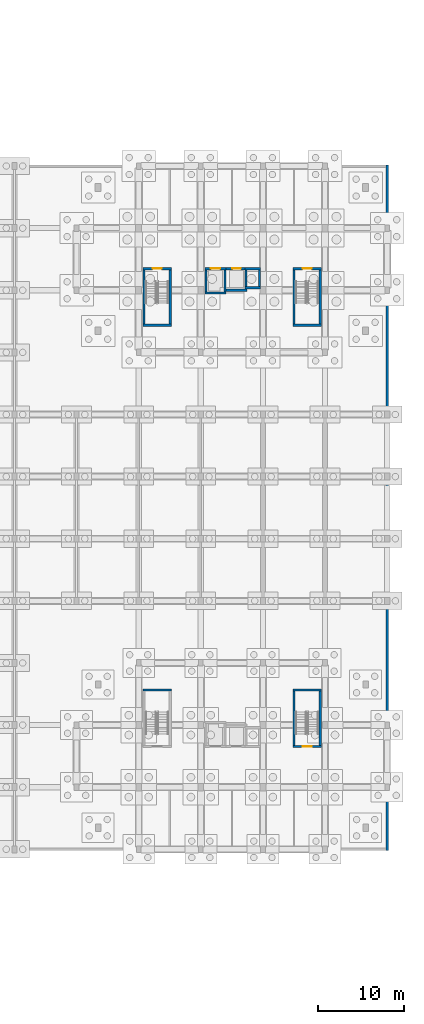
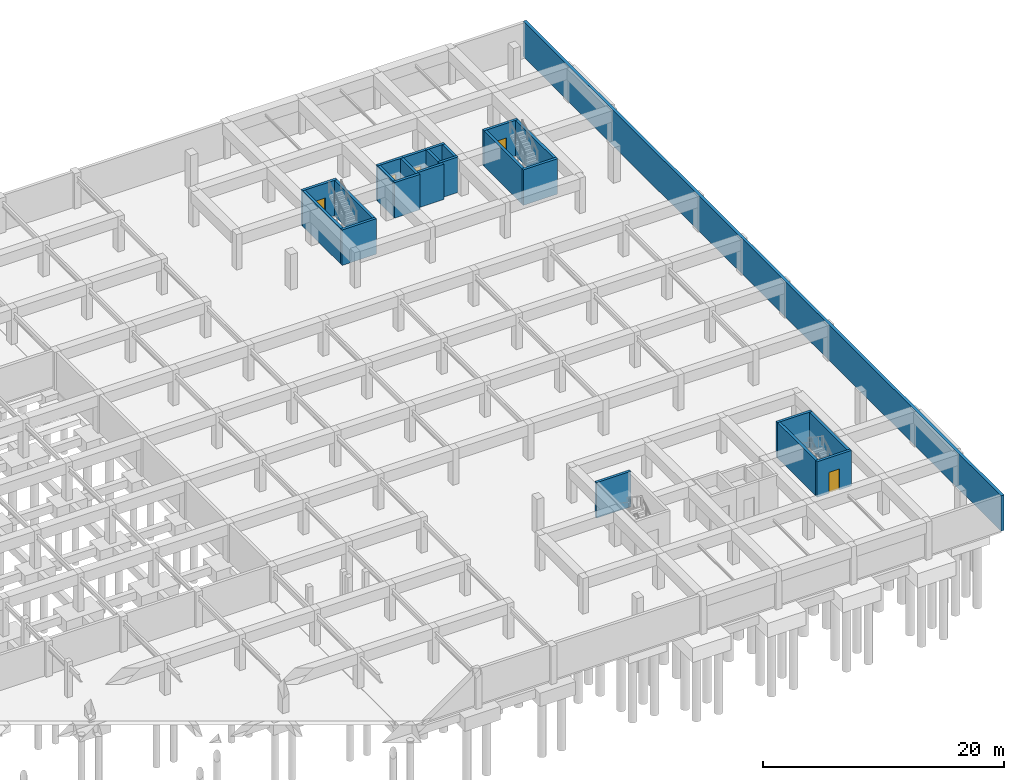
# One storey, part 30 of 36: 24 walls, 5 doors, 5 openings.
"""IFC4 building model written with IfcOpenShell, lengths in metres."""

import ifcopenshell
import ifcopenshell.guid

model = None  # the IFC model being written
_history = None  # IfcOwnerHistory: only IFC2X3 demands one
_inside = {}  # id of a spatial element -> (the spatial element, [elements in it])
_under = {}  # id of a project, library or spatial element -> (it, [spatial elements below it])
_declared = {}  # id of a project -> (the project, [libraries it declares])
_typed = {}  # id of a type object -> (the type object, [elements of that type])
_made_of = {}  # id of a material, layer set ... -> (it, [elements and type objects made of it])


def new_model(schema):
    """Start an empty IFC model of exactly this schema.

    Asked for "IFC4X3", IfcOpenShell would pick the latest addendum, in which some entities
    have other attributes; the version numbers below select the first issue.
    IFC2X3 requires an IfcOwnerHistory on every rooted entity: one is made here for all.
    """
    global model, _history
    if schema == "IFC4X3":
        model = ifcopenshell.file(schema_version=(4, 3, 0, 0))
    else:
        model = ifcopenshell.file(schema=schema)
    _inside.clear()
    _under.clear()
    _declared.clear()
    _typed.clear()
    _made_of.clear()
    _history = None
    if model.schema == "IFC2X3":
        org = make("IfcOrganization", Name="unknown")
        user = make(
            "IfcPersonAndOrganization",
            ThePerson=make("IfcPerson", FamilyName="unknown"),
            TheOrganization=org,
        )
        app = make(
            "IfcApplication",
            ApplicationDeveloper=org,
            Version="unknown",
            ApplicationFullName="unknown",
            ApplicationIdentifier="unknown",
        )
        _history = make(
            "IfcOwnerHistory",
            OwningUser=user,
            OwningApplication=app,
            ChangeAction="ADDED",
            CreationDate=0,
        )
    return model


def make(cls, **values):
    """One entity of the class cls with the attributes given. An attribute that is None is left unset."""
    return model.create_entity(
        cls, **{name: value for name, value in values.items() if value is not None}
    )


def rooted(cls, **values):
    """An entity with a GlobalId (a new one), such as an element, a storey or a relation."""
    return make(cls, GlobalId=ifcopenshell.guid.new(), OwnerHistory=_history, **values)


def si_unit(unit_type, name, prefix=None):
    """IfcSIUnit, for example si_unit("LENGTHUNIT", "METRE", prefix="MILLI")."""
    return make("IfcSIUnit", UnitType=unit_type, Prefix=prefix, Name=name)


def assignment(units):
    """IfcUnitAssignment: the units of a project."""
    return None if units is None else make("IfcUnitAssignment", Units=units)


def point(xyz):
    """IfcCartesianPoint."""
    return None if xyz is None else make("IfcCartesianPoint", Coordinates=xyz)


def direction(xyz):
    """IfcDirection."""
    return None if xyz is None else make("IfcDirection", DirectionRatios=xyz)


def frame(location, z_axis=None, x_axis=None):
    """IfcAxis2Placement3D, a coordinate frame: its origin and axes. An axis left out is left unset."""
    return make(
        "IfcAxis2Placement3D",
        Location=point(location),
        Axis=direction(z_axis),
        RefDirection=direction(x_axis),
    )


def frame_2d(location, x_axis=None):
    """IfcAxis2Placement2D, a coordinate frame in the plane: its origin and x axis."""
    return make(
        "IfcAxis2Placement2D", Location=point(location), RefDirection=direction(x_axis)
    )


def origin():
    """The frame at (0, 0, 0) with its axes left unset."""
    return frame((0.0, 0.0, 0.0))


def place(relative_to, where):
    """IfcLocalPlacement: puts the frame where relative to a parent placement (None: the world)."""
    return make(
        "IfcLocalPlacement", PlacementRelTo=relative_to, RelativePlacement=where
    )


def context(
    kind, dimensions, precision=None, world=None, true_north=None, identifier=None
):
    """IfcGeometricRepresentationContext, for example the 3D "Model" context."""
    return make(
        "IfcGeometricRepresentationContext",
        ContextIdentifier=identifier,
        ContextType=kind,
        CoordinateSpaceDimension=dimensions,
        Precision=precision,
        WorldCoordinateSystem=world,
        TrueNorth=true_north,
    )


def subcontext(parent, identifier, kind, view, scale=None):
    """IfcGeometricRepresentationSubContext, for example "Body" below "Model"."""
    return make(
        "IfcGeometricRepresentationSubContext",
        ContextIdentifier=identifier,
        ContextType=kind,
        ParentContext=parent,
        TargetScale=scale,
        TargetView=view,
    )


def project(units=None, contexts=None):
    """IfcProject with its units and contexts."""
    return rooted(
        "IfcProject",
        Name="project",
        RepresentationContexts=contexts,
        UnitsInContext=assignment(units),
    )


def spatial(cls, under=None, at=None, **own):
    """A site, building, storey or space (cls), placed at a placement, below another one or the project."""
    s = rooted(cls, ObjectPlacement=at, **own)
    if under is not None:
        _under.setdefault(under.id(), (under, []))[1].append(s)
    return s


def profile(cls, at=None, kind="AREA", **sizes):
    """A parametric profile (cls). Its sizes go by their IFC names, for example OverallWidth=200.0."""
    return make(cls, ProfileType=kind, Position=at, **sizes)


def rectangle(**sizes):
    """IfcRectangleProfileDef."""
    return profile("IfcRectangleProfileDef", **sizes)


def extrude(swept, where, along, depth):
    """IfcExtrudedAreaSolid: the profile swept, set in the frame where, extruded along a direction by depth."""
    return make(
        "IfcExtrudedAreaSolid",
        SweptArea=swept,
        Position=where,
        ExtrudedDirection=direction(along),
        Depth=depth,
    )


def shape(context_of_items, identifier, shape_type, items):
    """IfcShapeRepresentation: the items that make up one representation, for example the "Body"."""
    return make(
        "IfcShapeRepresentation",
        ContextOfItems=context_of_items,
        RepresentationIdentifier=identifier,
        RepresentationType=shape_type,
        Items=items,
    )


def material(Name=None, Category=None):
    """IfcMaterial."""
    return make("IfcMaterial", Name=Name, Category=Category)


def layer(
    of_material, thickness, ventilated=None, Name=None, Category=None, Priority=None
):
    """IfcMaterialLayer: one layer of a wall or slab, of a material (None: an air gap)."""
    return make(
        "IfcMaterialLayer",
        Material=of_material,
        LayerThickness=thickness,
        IsVentilated=ventilated,
        Name=Name,
        Category=Category,
        Priority=Priority,
    )


def layer_set(layers, Name=None):
    """IfcMaterialLayerSet."""
    return make("IfcMaterialLayerSet", MaterialLayers=layers, LayerSetName=Name)


def made_of(thing, what):
    """Note that an element or type object is made of a material, layer set ...; save() writes the relation."""
    if what is not None:
        _made_of.setdefault(what.id(), (what, []))[1].append(thing)
    return thing


def type_object(cls, material=None, **own):
    """A type object (cls), such as IfcWallType, which elements share."""
    return made_of(rooted(cls, **own), material)


def element(
    cls,
    number,
    at=None,
    inside=None,
    cuts=None,
    type_object=None,
    material=None,
    context=None,
    identifier="Body",
    shape_type=None,
    held_by="IfcProductDefinitionShape",
    body=None,
    shapes=None,
    **own,
):
    """One element of the class cls, such as IfcWall. Its Tag is "e" and its number.

    at: its placement. inside: the storey or other place that contains it. cuts: it is an
    opening in that element (IfcRelVoidsElement). A single representation is given by context,
    identifier, shape_type and body (its items); several are given by shapes. held_by: the class
    of the entity that holds the representations. save() writes the other relations.
    """
    e = rooted(cls, Tag="e%d" % number, ObjectPlacement=at, **own)
    if body is not None:
        shapes = [shape(context, identifier, shape_type, body)]
    if shapes is not None:
        e.Representation = make(held_by, Representations=shapes)
    if inside is not None:
        _inside.setdefault(inside.id(), (inside, []))[1].append(e)
    if cuts is not None:
        rooted(
            "IfcRelVoidsElement", RelatingBuildingElement=cuts, RelatedOpeningElement=e
        )
    if type_object is not None:
        _typed.setdefault(type_object.id(), (type_object, []))[1].append(e)
    return made_of(e, material)


def fill(opening, filler):
    """IfcRelFillsElement: the door or window that sits in an opening."""
    return rooted(
        "IfcRelFillsElement",
        RelatingOpeningElement=opening,
        RelatedBuildingElement=filler,
    )


def aggregate(whole, parts):
    """IfcRelAggregates: a whole, such as a stair, and the parts it consists of."""
    return rooted("IfcRelAggregates", RelatingObject=whole, RelatedObjects=parts)


def save(model, path):
    """Write the relations noted so far, then the file.

    IfcRelAggregates (storeys below a building ...), IfcRelContainedInSpatialStructure (elements
    in a storey), IfcRelDefinesByType, IfcRelAssociatesMaterial and IfcRelDeclares: one each for
    every whole, place, type object, material and project.
    """
    for whole, parts in _under.values():
        aggregate(whole, parts)
    for where, things in _inside.values():
        rooted(
            "IfcRelContainedInSpatialStructure",
            RelatedElements=things,
            RelatingStructure=where,
        )
    for kind, things in _typed.values():
        rooted("IfcRelDefinesByType", RelatedObjects=things, RelatingType=kind)
    for what, things in _made_of.values():
        rooted("IfcRelAssociatesMaterial", RelatedObjects=things, RelatingMaterial=what)
    for by, libraries in _declared.values():
        rooted("IfcRelDeclares", RelatingContext=by, RelatedDefinitions=libraries)
    model.write(path)


model = new_model("IFC4")

# Units and contexts
model_context = context("Model", 3, precision=1e-05, world=origin(), true_north=direction((0.0, 1.0)))
body_context = subcontext(model_context, "Body", "Model", "MODEL_VIEW")
ifc_project = project(units=[si_unit("LENGTHUNIT", "METRE"), si_unit("AREAUNIT", "SQUARE_METRE"), si_unit("VOLUMEUNIT", "CUBIC_METRE"), si_unit("PLANEANGLEUNIT", "RADIAN"), si_unit("MASSUNIT", "GRAM", prefix="KILO")], contexts=[model_context])

# Site, building, storey
site_placement = place(None, origin())
site = spatial("IfcSite", under=ifc_project, at=site_placement, CompositionType="ELEMENT")
building_placement = place(site_placement, origin())
building = spatial("IfcBuilding", under=site, at=building_placement, Name="Ochrevale Crest", CompositionType="ELEMENT")
storey_placement = place(building_placement, frame((0.0, 0.0, -3.60009765625)))
storey = spatial("IfcBuildingStorey", under=building, at=storey_placement, Name="B1", CompositionType="ELEMENT", Elevation=-3.60009765625)

# Wall
ifc_material_1 = material(Name="Precast concrete C50/60", Category="concrete")
ifc_layer_1 = layer(ifc_material_1, 0.2548828125)
ifc_layer_set_1 = layer_set([ifc_layer_1], Name="Precast concrete C50/60")
wall_type_1 = type_object("IfcWallType", Name="WL-CORE-255", PredefinedType="SHEAR", material=ifc_layer_set_1)
wall_1_placement = place(storey_placement, frame((137.2724609375, 32.85009765625, 0.0), z_axis=(0.0, 0.0, 1.0), x_axis=(1.0, 0.0, 0.0)))
element("IfcWall", 1, at=wall_1_placement, inside=storey, type_object=wall_type_1, Name="Block C B1 Stair 1 precast core shear wall N", PredefinedType="SHEAR", context=body_context, shape_type="SweptSolid", body=[
    extrude(rectangle(XDim=3.304931640625, YDim=0.2548828125, at=frame_2d((1.65234375, 0.0))), origin(), (0.0, 0.0, 1.0), 3.60009765625),
])

# Wall, opening, door
wall_2_placement = place(storey_placement, frame((154.672607421875, 26.300048828125, 0.0), z_axis=(0.0, 0.0, 1.0), x_axis=(1.0, 0.0, 0.0)))
wall_2 = element("IfcWall", 2, at=wall_2_placement, inside=storey, type_object=wall_type_1, Name="Block C B1 Stair 2 precast core shear wall S", PredefinedType="SHEAR", context=body_context, shape_type="SweptSolid", body=[
    extrude(rectangle(XDim=3.304931640625, YDim=0.2548828125, at=frame_2d((1.65234375, 0.0))), origin(), (0.0, 0.0, 1.0), 3.60009765625),
])
opening_1_placement = place(wall_2_placement, frame((1.12744140625, 0.0, 0.0)))
opening_1 = element("IfcOpeningElement", 3, at=opening_1_placement, cuts=wall_2, Name="Opening FD03", PredefinedType="OPENING", context=body_context, shape_type="SweptSolid", body=[
    extrude(rectangle(XDim=1.050048828125, YDim=2.1201171875, at=frame_2d((0.52490234375, 1.06005859375))), frame((0.0, 0.137451171875, 0.0), z_axis=(0.0, -1.0, 0.0), x_axis=(1.0, 0.0, 0.0)), (0.0, 0.0, 1.0), 0.27490234375),
])
ifc_material_2 = material(Name="Solid-core FSC hardwood", Category="wood")
door_type_1 = type_object("IfcDoorType", Name="DR-ST-1050", OperationType="NOTDEFINED", PredefinedType="DOOR", material=ifc_material_2)
door_1_placement = place(opening_1_placement, origin())
door_1 = element("IfcDoor", 4, at=door_1_placement, inside=storey, type_object=door_type_1, Name="Block C B1 fire stair 2 door", OperationType="SINGLE_SWING_LEFT", OverallHeight=2.1201171875, OverallWidth=1.050048828125, PredefinedType="DOOR", context=body_context, shape_type="SweptSolid", body=[
    extrude(rectangle(XDim=1.050048828125, YDim=2.1201171875, at=frame_2d((0.52490234375, 1.06005859375))), frame((0.0, 0.02490234375, 0.0), z_axis=(0.0, -1.0, 0.0), x_axis=(1.0, 0.0, 0.0)), (0.0, 0.0, 1.0), 0.050048828125),
])
fill(opening_1, door_1)

# Walls
wall_3_placement = place(storey_placement, frame((154.672607421875, 32.85009765625, 0.0), z_axis=(0.0, 0.0, 1.0), x_axis=(1.0, 0.0, 0.0)))
element("IfcWall", 5, at=wall_3_placement, inside=storey, type_object=wall_type_1, Name="Block C B1 Stair 2 precast core shear wall N", PredefinedType="SHEAR", context=body_context, shape_type="SweptSolid", body=[
    extrude(rectangle(XDim=3.304931640625, YDim=0.2548828125, at=frame_2d((1.65234375, 0.0))), origin(), (0.0, 0.0, 1.0), 3.60009765625),
])
for number, where, z_axis, x_axis, name in (
    (6, (154.800048828125, 26.427490234375, 0.0), (0.0, 0.0, 1.0), (0.0, 1.0, 0.0), "Block C B1 Stair 2 precast core shear wall W"),
    (7, (157.85009765625, 26.427490234375, 0.0), (0.0, 0.0, 1.0), (0.0, 1.0, 0.0), "Block C B1 Stair 2 precast core shear wall E"),
):
    element("IfcWall", number, at=place(storey_placement, frame(where, z_axis=z_axis, x_axis=x_axis)), inside=storey, type_object=wall_type_1, Name=name, PredefinedType="SHEAR", context=body_context, shape_type="SweptSolid", body=[
        extrude(rectangle(XDim=6.294921875, YDim=0.2548828125, at=frame_2d((3.1474609375, 0.0))), origin(), (0.0, 0.0, 1.0), 3.60009765625),
    ])
wall_4_placement = place(storey_placement, frame((137.2724609375, 75.14990234375, 0.0), z_axis=(0.0, 0.0, 1.0), x_axis=(1.0, 0.0, 0.0)))
element("IfcWall", 8, at=wall_4_placement, inside=storey, type_object=wall_type_1, Name="Block D B1 Stair 1 precast core shear wall S", PredefinedType="SHEAR", context=body_context, shape_type="SweptSolid", body=[
    extrude(rectangle(XDim=3.304931640625, YDim=0.2548828125, at=frame_2d((1.65234375, 0.0))), origin(), (0.0, 0.0, 1.0), 3.60009765625),
])

# Wall, opening, door
wall_5_placement = place(storey_placement, frame((137.2724609375, 81.699951171875, 0.0), z_axis=(0.0, 0.0, 1.0), x_axis=(1.0, 0.0, 0.0)))
wall_5 = element("IfcWall", 9, at=wall_5_placement, inside=storey, type_object=wall_type_1, Name="Block D B1 Stair 1 precast core shear wall N", PredefinedType="SHEAR", context=body_context, shape_type="SweptSolid", body=[
    extrude(rectangle(XDim=3.304931640625, YDim=0.2548828125, at=frame_2d((1.65234375, 0.0))), origin(), (0.0, 0.0, 1.0), 3.60009765625),
])
opening_2_placement = place(wall_5_placement, frame((2.177490234375, 0.0, 0.0), z_axis=(0.0, 0.0, 1.0), x_axis=(-1.0, 0.0, 0.0)))
opening_2 = element("IfcOpeningElement", 10, at=opening_2_placement, cuts=wall_5, Name="Opening FD03", PredefinedType="OPENING", context=body_context, shape_type="SweptSolid", body=[
    extrude(rectangle(XDim=1.050048828125, YDim=2.1201171875, at=frame_2d((0.52490234375, 1.06005859375))), frame((0.0, 0.137451171875, 0.0), z_axis=(0.0, -1.0, 0.0), x_axis=(1.0, 0.0, 0.0)), (0.0, 0.0, 1.0), 0.27490234375),
])
door_2_placement = place(opening_2_placement, origin())
door_2 = element("IfcDoor", 11, at=door_2_placement, inside=storey, type_object=door_type_1, Name="Block D B1 fire stair 1 door", OperationType="SINGLE_SWING_RIGHT", OverallHeight=2.1201171875, OverallWidth=1.050048828125, PredefinedType="DOOR", context=body_context, shape_type="SweptSolid", body=[
    extrude(rectangle(XDim=1.050048828125, YDim=2.1201171875, at=frame_2d((0.52490234375, 1.06005859375))), frame((0.0, 0.02490234375, 0.0), z_axis=(0.0, -1.0, 0.0), x_axis=(1.0, 0.0, 0.0)), (0.0, 0.0, 1.0), 0.050048828125),
])
fill(opening_2, door_2)

# Walls
for number, where, z_axis, x_axis, name in (
    (12, (137.39990234375, 75.277587890625, 0.0), (0.0, 0.0, 1.0), (0.0, 1.0, 0.0), "Block D B1 Stair 1 precast core shear wall W"),
    (13, (140.449951171875, 75.277587890625, 0.0), (0.0, 0.0, 1.0), (0.0, 1.0, 0.0), "Block D B1 Stair 1 precast core shear wall E"),
):
    element("IfcWall", number, at=place(storey_placement, frame(where, z_axis=z_axis, x_axis=x_axis)), inside=storey, type_object=wall_type_1, Name=name, PredefinedType="SHEAR", context=body_context, shape_type="SweptSolid", body=[
        extrude(rectangle(XDim=6.294921875, YDim=0.2548828125, at=frame_2d((3.1474609375, 0.0))), origin(), (0.0, 0.0, 1.0), 3.60009765625),
    ])
wall_6_placement = place(storey_placement, frame((154.672607421875, 75.14990234375, 0.0), z_axis=(0.0, 0.0, 1.0), x_axis=(1.0, 0.0, 0.0)))
element("IfcWall", 14, at=wall_6_placement, inside=storey, type_object=wall_type_1, Name="Block D B1 Stair 2 precast core shear wall S", PredefinedType="SHEAR", context=body_context, shape_type="SweptSolid", body=[
    extrude(rectangle(XDim=3.304931640625, YDim=0.2548828125, at=frame_2d((1.65234375, 0.0))), origin(), (0.0, 0.0, 1.0), 3.60009765625),
])

# Wall, opening, door
wall_7_placement = place(storey_placement, frame((154.672607421875, 81.699951171875, 0.0), z_axis=(0.0, 0.0, 1.0), x_axis=(1.0, 0.0, 0.0)))
wall_7 = element("IfcWall", 15, at=wall_7_placement, inside=storey, type_object=wall_type_1, Name="Block D B1 Stair 2 precast core shear wall N", PredefinedType="SHEAR", context=body_context, shape_type="SweptSolid", body=[
    extrude(rectangle(XDim=3.304931640625, YDim=0.2548828125, at=frame_2d((1.65234375, 0.0))), origin(), (0.0, 0.0, 1.0), 3.60009765625),
])
opening_3_placement = place(wall_7_placement, frame((1.12744140625, 0.0, 0.0)))
opening_3 = element("IfcOpeningElement", 16, at=opening_3_placement, cuts=wall_7, Name="Opening FD03", PredefinedType="OPENING", context=body_context, shape_type="SweptSolid", body=[
    extrude(rectangle(XDim=1.050048828125, YDim=2.1201171875, at=frame_2d((0.52490234375, 1.06005859375))), frame((0.0, 0.137451171875, 0.0), z_axis=(0.0, -1.0, 0.0), x_axis=(1.0, 0.0, 0.0)), (0.0, 0.0, 1.0), 0.27490234375),
])
door_3_placement = place(opening_3_placement, origin())
door_3 = element("IfcDoor", 17, at=door_3_placement, inside=storey, type_object=door_type_1, Name="Block D B1 fire stair 2 door", OperationType="SINGLE_SWING_LEFT", OverallHeight=2.1201171875, OverallWidth=1.050048828125, PredefinedType="DOOR", context=body_context, shape_type="SweptSolid", body=[
    extrude(rectangle(XDim=1.050048828125, YDim=2.1201171875, at=frame_2d((0.52490234375, 1.06005859375))), frame((0.0, 0.02490234375, 0.0), z_axis=(0.0, -1.0, 0.0), x_axis=(1.0, 0.0, 0.0)), (0.0, 0.0, 1.0), 0.050048828125),
])
fill(opening_3, door_3)

# Walls
for number, where, z_axis, x_axis, name in (
    (18, (154.800048828125, 75.277587890625, 0.0), (0.0, 0.0, 1.0), (0.0, 1.0, 0.0), "Block D B1 Stair 2 precast core shear wall W"),
    (19, (157.85009765625, 75.277587890625, 0.0), (0.0, 0.0, 1.0), (0.0, 1.0, 0.0), "Block D B1 Stair 2 precast core shear wall E"),
):
    element("IfcWall", number, at=place(storey_placement, frame(where, z_axis=z_axis, x_axis=x_axis)), inside=storey, type_object=wall_type_1, Name=name, PredefinedType="SHEAR", context=body_context, shape_type="SweptSolid", body=[
        extrude(rectangle(XDim=6.294921875, YDim=0.2548828125, at=frame_2d((3.1474609375, 0.0))), origin(), (0.0, 0.0, 1.0), 3.60009765625),
    ])
wall_8_placement = place(storey_placement, frame((144.472412109375, 78.89990234375, 0.0), z_axis=(0.0, 0.0, 1.0), x_axis=(1.0, 0.0, 0.0)))
element("IfcWall", 20, at=wall_8_placement, inside=storey, type_object=wall_type_1, Name="Block D B1 Lift 1 precast shaft shear wall S", PredefinedType="SHEAR", context=body_context, shape_type="SweptSolid", body=[
    extrude(rectangle(XDim=2.455078125, YDim=0.2548828125, at=frame_2d((1.2275390625, 0.0))), origin(), (0.0, 0.0, 1.0), 3.60009765625),
])

# Wall, opening, door
wall_9_placement = place(storey_placement, frame((144.472412109375, 81.699951171875, 0.0), z_axis=(0.0, 0.0, 1.0), x_axis=(1.0, 0.0, 0.0)))
wall_9 = element("IfcWall", 21, at=wall_9_placement, inside=storey, type_object=wall_type_1, Name="Block D B1 Lift 1 precast shaft shear wall N", PredefinedType="SHEAR", context=body_context, shape_type="SweptSolid", body=[
    extrude(rectangle(XDim=2.455078125, YDim=0.2548828125, at=frame_2d((1.2275390625, 0.0))), origin(), (0.0, 0.0, 1.0), 3.60009765625),
])
opening_4_placement = place(wall_9_placement, frame((0.677490234375, 0.0, 0.0)))
opening_4 = element("IfcOpeningElement", 22, at=opening_4_placement, cuts=wall_9, Name="Opening LD01", PredefinedType="OPENING", context=body_context, shape_type="SweptSolid", body=[
    extrude(rectangle(XDim=1.10009765625, YDim=2.14990234375, at=frame_2d((0.550048828125, 1.074951171875))), frame((0.0, 0.137451171875, 0.0), z_axis=(0.0, -1.0, 0.0), x_axis=(1.0, 0.0, 0.0)), (0.0, 0.0, 1.0), 0.27490234375),
])
door_type_2 = type_object("IfcDoorType", Name="DR-LIFT-1100", OperationType="NOTDEFINED", PredefinedType="DOOR", material=ifc_material_2)
door_4_placement = place(opening_4_placement, origin())
door_4 = element("IfcDoor", 23, at=door_4_placement, inside=storey, type_object=door_type_2, Name="Lift LF-D1 B1 sliding landing door", OperationType="SLIDING_TO_LEFT", OverallHeight=2.14990234375, OverallWidth=1.10009765625, PredefinedType="DOOR", context=body_context, shape_type="SweptSolid", body=[
    extrude(rectangle(XDim=1.10009765625, YDim=2.14990234375, at=frame_2d((0.550048828125, 1.074951171875))), frame((0.0, 0.02490234375, 0.0), z_axis=(0.0, -1.0, 0.0), x_axis=(1.0, 0.0, 0.0)), (0.0, 0.0, 1.0), 0.050048828125),
])
fill(opening_4, door_4)

# Walls
for number, where, z_axis, x_axis, name in (
    (24, (144.60009765625, 79.027587890625, 0.0), (0.0, 0.0, 1.0), (0.0, 1.0, 0.0), "Block D B1 Lift 1 precast shaft shear wall W"),
    (25, (146.800048828125, 79.027587890625, 0.0), (0.0, 0.0, 1.0), (0.0, 1.0, 0.0), "Block D B1 Lift 1 precast shaft shear wall E"),
):
    element("IfcWall", number, at=place(storey_placement, frame(where, z_axis=z_axis, x_axis=x_axis)), inside=storey, type_object=wall_type_1, Name=name, PredefinedType="SHEAR", context=body_context, shape_type="SweptSolid", body=[
        extrude(rectangle(XDim=2.544921875, YDim=0.2548828125, at=frame_2d((1.2724609375, 0.0))), origin(), (0.0, 0.0, 1.0), 3.60009765625),
    ])
wall_10_placement = place(storey_placement, frame((146.922607421875, 79.199951171875, 0.0), z_axis=(0.0, 0.0, 1.0), x_axis=(1.0, 0.0, 0.0)))
element("IfcWall", 26, at=wall_10_placement, inside=storey, type_object=wall_type_1, Name="Block D B1 Lift 2 precast shaft shear wall S", PredefinedType="SHEAR", context=body_context, shape_type="SweptSolid", body=[
    extrude(rectangle(XDim=2.454833984375, YDim=0.2548828125, at=frame_2d((1.2275390625, 0.0))), origin(), (0.0, 0.0, 1.0), 3.60009765625),
])

# Wall, opening, door
wall_11_placement = place(storey_placement, frame((146.922607421875, 81.699951171875, 0.0), z_axis=(0.0, 0.0, 1.0), x_axis=(1.0, 0.0, 0.0)))
wall_11 = element("IfcWall", 27, at=wall_11_placement, inside=storey, type_object=wall_type_1, Name="Block D B1 Lift 2 precast shaft shear wall N", PredefinedType="SHEAR", context=body_context, shape_type="SweptSolid", body=[
    extrude(rectangle(XDim=2.454833984375, YDim=0.2548828125, at=frame_2d((1.2275390625, 0.0))), origin(), (0.0, 0.0, 1.0), 3.60009765625),
])
opening_5_placement = place(wall_11_placement, frame((0.7275390625, 0.0, 0.0)))
opening_5 = element("IfcOpeningElement", 28, at=opening_5_placement, cuts=wall_11, Name="Opening LD02", PredefinedType="OPENING", context=body_context, shape_type="SweptSolid", body=[
    extrude(rectangle(XDim=1.0, YDim=2.14990234375, at=frame_2d((0.5, 1.074951171875))), frame((0.0, 0.137451171875, 0.0), z_axis=(0.0, -1.0, 0.0), x_axis=(1.0, 0.0, 0.0)), (0.0, 0.0, 1.0), 0.27490234375),
])
door_type_3 = type_object("IfcDoorType", Name="DR-LIFT-1000", OperationType="NOTDEFINED", PredefinedType="DOOR", material=ifc_material_2)
door_5_placement = place(opening_5_placement, origin())
door_5 = element("IfcDoor", 29, at=door_5_placement, inside=storey, type_object=door_type_3, Name="Lift LP-D2 B1 sliding landing door", OperationType="SLIDING_TO_RIGHT", OverallHeight=2.14990234375, OverallWidth=1.0, PredefinedType="DOOR", context=body_context, shape_type="SweptSolid", body=[
    extrude(rectangle(XDim=1.0, YDim=2.14990234375, at=frame_2d((0.5, 1.074951171875))), frame((0.0, 0.02490234375, 0.0), z_axis=(0.0, -1.0, 0.0), x_axis=(1.0, 0.0, 0.0)), (0.0, 0.0, 1.0), 0.050048828125),
])
fill(opening_5, door_5)

# Walls
wall_12_placement = place(storey_placement, frame((149.25, 79.327392578125, 0.0), z_axis=(0.0, 0.0, 1.0), x_axis=(0.0, 1.0, 0.0)))
element("IfcWall", 30, at=wall_12_placement, inside=storey, type_object=wall_type_1, Name="Block D B1 Lift 2 precast shaft shear wall E", PredefinedType="SHEAR", context=body_context, shape_type="SweptSolid", body=[
    extrude(rectangle(XDim=2.2451171875, YDim=0.2548828125, at=frame_2d((1.12255859375, 0.0))), origin(), (0.0, 0.0, 1.0), 3.60009765625),
])
for number, where, z_axis, x_axis, name in (
    (31, (149.12255859375, 79.5, 0.0), (0.0, 0.0, 1.0), (1.0, 0.0, 0.0), "Block D B1 services riser shaft core wall S"),
    (32, (149.12255859375, 81.699951171875, 0.0), (0.0, 0.0, 1.0), (1.0, 0.0, 0.0), "Block D B1 services riser shaft core wall N"),
):
    element("IfcWall", number, at=place(storey_placement, frame(where, z_axis=z_axis, x_axis=x_axis)), inside=storey, type_object=wall_type_1, Name=name, PredefinedType="SHEAR", context=body_context, shape_type="SweptSolid", body=[
        extrude(rectangle(XDim=1.804931640625, YDim=0.2548828125, at=frame_2d((0.90234375, 0.0))), origin(), (0.0, 0.0, 1.0), 3.60009765625),
    ])
wall_13_placement = place(storey_placement, frame((150.800048828125, 79.62744140625, 0.0), z_axis=(0.0, 0.0, 1.0), x_axis=(0.0, 1.0, 0.0)))
element("IfcWall", 33, at=wall_13_placement, inside=storey, type_object=wall_type_1, Name="Block D B1 services riser shaft core wall E", PredefinedType="SHEAR", context=body_context, shape_type="SweptSolid", body=[
    extrude(rectangle(XDim=1.945068359375, YDim=0.2548828125, at=frame_2d((0.97265625, 0.0))), origin(), (0.0, 0.0, 1.0), 3.60009765625),
])
ifc_material_3 = material(Name="Concrete C40/50", Category="concrete")
ifc_layer_2 = layer(ifc_material_3, 0.284912109375)
ifc_layer_set_2 = layer_set([ifc_layer_2], Name="Concrete C40/50")
wall_type_2 = type_object("IfcWallType", Name="WL-RET-285", PredefinedType="USERDEFINED", material=ifc_layer_set_2)
wall_14_placement = place(storey_placement, frame((165.60009765625, 14.257568359375, 0.0), z_axis=(0.0, 0.0, 1.0), x_axis=(0.0, 1.0, 0.0)))
element("IfcWall", 34, at=wall_14_placement, inside=storey, type_object=wall_type_2, Name="B1 Concrete C40/50 retaining wall E", ObjectType="RETAININGWALL", PredefinedType="USERDEFINED", context=body_context, shape_type="SweptSolid", body=[
    extrude(rectangle(XDim=79.48486328125, YDim=0.284912109375, at=frame_2d((39.742431640625, 0.0))), origin(), (0.0, 0.0, 1.0), 3.60009765625),
])

save(model, "model.ifc")
